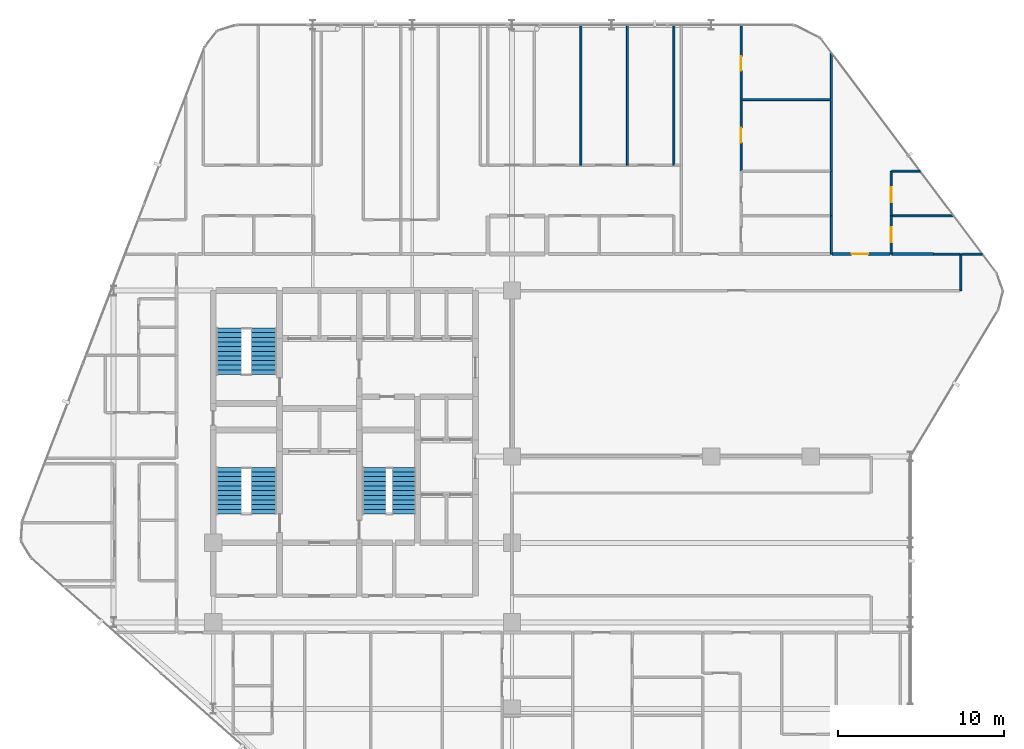
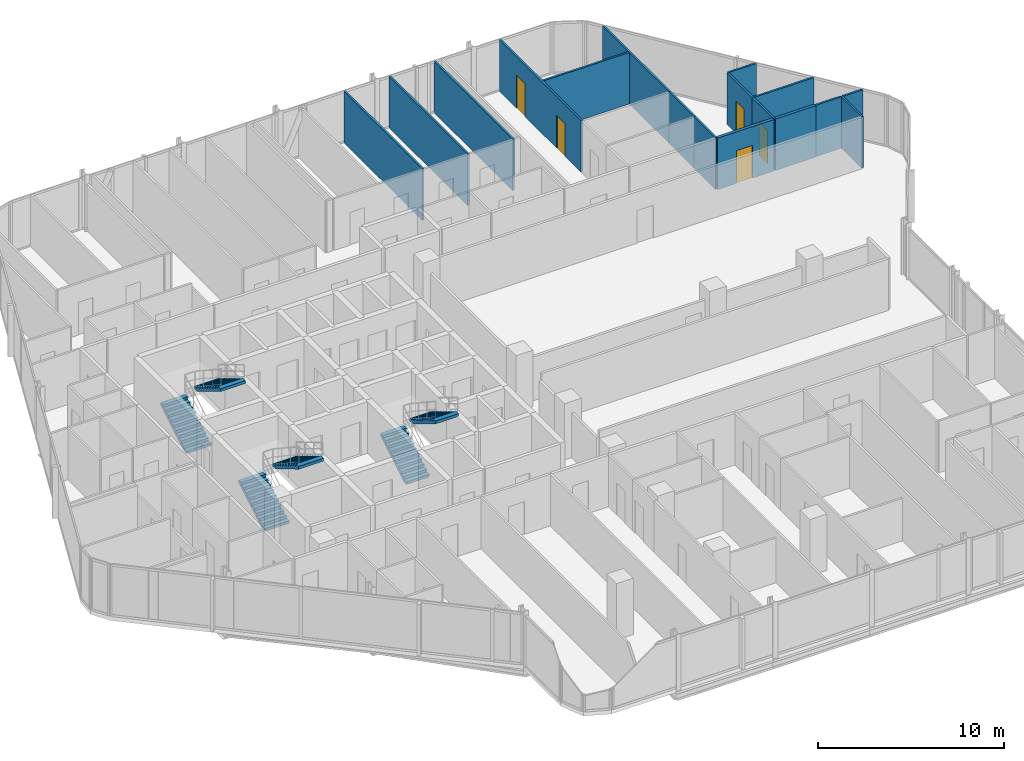
# One storey, part 29 of 30: 17 walls, 6 stair flights, 5 doors, 5 openings, 3 elements without a shape of their own.
"""IFC4 building model written with IfcOpenShell, lengths in metres."""

from ifc_helpers import new_model, si_unit, direction, frame, frame_2d, origin, place, context, subcontext, project, spatial, polyline, rectangle, outline, extrude, material, layer, layer_set, type_object, element, fill, aggregate, save


model = new_model("IFC4")

# Units and contexts
model_context = context("Model", 3, precision=1e-05, world=origin(), true_north=direction((0.0, 1.0)))
body_context = subcontext(model_context, "Body", "Model", "MODEL_VIEW")
ifc_project = project(units=[si_unit("LENGTHUNIT", "METRE"), si_unit("AREAUNIT", "SQUARE_METRE"), si_unit("VOLUMEUNIT", "CUBIC_METRE"), si_unit("PLANEANGLEUNIT", "RADIAN"), si_unit("MASSUNIT", "GRAM", prefix="KILO")], contexts=[model_context])

# Site, building, storey
site_placement = place(None, origin())
site = spatial("IfcSite", under=ifc_project, at=site_placement, CompositionType="ELEMENT")
building_placement = place(site_placement, origin())
building = spatial("IfcBuilding", under=site, at=building_placement, Name="Keshet Zoharim Tower", CompositionType="ELEMENT")
storey_placement = place(building_placement, frame((0.0, 0.0, 116.800048828125)))
storey = spatial("IfcBuildingStorey", under=building, at=storey_placement, Name="L28", CompositionType="ELEMENT", Elevation=116.800048828125)

# Wall, opening, door
ifc_material_1 = material(Name="Gypsum Plasterboard", Category="gypsum")
ifc_layer_1 = layer(ifc_material_1, 0.179931640625)
ifc_layer_set_1 = layer_set([ifc_layer_1], Name="Gypsum Plasterboard")
wall_type_1 = type_object("IfcWallType", Name="WL-CORR-180", PredefinedType="STANDARD", material=ifc_layer_set_1)
wall_1_placement = place(storey_placement, frame((52.27490234375, 40.10009765625, 0.0), z_axis=(0.0, 0.0, 1.0), x_axis=(1.0, 0.0, 0.0)))
wall_1 = element("IfcWall", 1, at=wall_1_placement, inside=storey, type_object=wall_type_1, Name="L28 Interior Wall 192", PredefinedType="STANDARD", context=body_context, shape_type="SweptSolid", body=[
    extrude(rectangle(XDim=3.510009765625, YDim=0.179931640625, at=frame_2d((1.7548828125, 0.0))), origin(), (0.0, 0.0, 1.0), 3.3798828125),
])
opening_1_placement = place(wall_1_placement, frame((1.18505859375, 0.0, 0.0)))
opening_1 = element("IfcOpeningElement", 2, at=opening_1_placement, cuts=wall_1, Name="Opening D-F310", PredefinedType="OPENING", context=body_context, shape_type="SweptSolid", body=[
    extrude(rectangle(XDim=1.0, YDim=2.14990234375, at=frame_2d((0.5, 1.074951171875))), frame((0.0, 0.10009765625, 0.0), z_axis=(0.0, -1.0, 0.0), x_axis=(1.0, 0.0, 0.0)), (0.0, 0.0, 1.0), 0.199951171875),
])
ifc_material_2 = material(Name="Hardwood Timber", Category="wood")
door_type_1 = type_object("IfcDoorType", Name="DR-FD30-100", OperationType="NOTDEFINED", PredefinedType="DOOR", material=ifc_material_2)
door_1_placement = place(opening_1_placement, origin())
door_1 = element("IfcDoor", 3, at=door_1_placement, inside=storey, type_object=door_type_1, Name="Apartment 2808 Entrance Door", OperationType="SINGLE_SWING_LEFT", OverallHeight=2.14990234375, OverallWidth=1.0, PredefinedType="DOOR", context=body_context, shape_type="SweptSolid", body=[
    extrude(rectangle(XDim=1.0, YDim=2.14990234375, at=frame_2d((0.5, 1.074951171875))), frame((0.0, 0.02490234375, 0.0), z_axis=(0.0, -1.0, 0.0), x_axis=(1.0, 0.0, 0.0)), (0.0, 0.0, 1.0), 0.050048828125),
])
fill(opening_1, door_1)

# Walls
wall_2_placement = place(storey_placement, frame((55.875, 40.10009765625, 0.0), z_axis=(0.0, 0.0, 1.0), x_axis=(1.0, 0.0, 0.0)))
element("IfcWall", 4, at=wall_2_placement, inside=storey, type_object=wall_type_1, Name="L28 Interior Wall 193", PredefinedType="STANDARD", context=body_context, shape_type="SweptSolid", body=[
    extrude(rectangle(XDim=2.52490234375, YDim=0.179931640625, at=frame_2d((1.262451171875, 0.0))), origin(), (0.0, 0.0, 1.0), 3.3798828125),
])
ifc_layer_2 = layer(ifc_material_1, 0.1201171875)
ifc_layer_set_2 = layer_set([ifc_layer_2], Name="Gypsum Plasterboard")
wall_type_2 = type_object("IfcWallType", Name="WL-PART-120", PredefinedType="PARTITIONING", material=ifc_layer_set_2)
for number, where, z_axis, x_axis, name in (
    (5, (37.14990234375, 45.449951171875, 0.0), (0.0, 0.0, 1.0), (0.0, 1.0, 0.0), "L28 Interior Wall 082"),
    (6, (39.949951171875, 45.449951171875, 0.0), (0.0, 0.0, 1.0), (0.0, 1.0, 0.0), "L28 Interior Wall 084"),
    (7, (42.75, 45.449951171875, 0.0), (0.0, 0.0, 1.0), (0.0, 1.0, 0.0), "L28 Interior Wall 089"),
):
    element("IfcWall", number, at=place(storey_placement, frame(where, z_axis=z_axis, x_axis=x_axis)), inside=storey, type_object=wall_type_2, Name=name, PredefinedType="PARTITIONING", context=body_context, shape_type="SweptSolid", body=[
        extrude(rectangle(XDim=8.43994140625, YDim=0.1201171875, at=frame_2d((4.219970703125, 0.0))), origin(), (0.0, 0.0, 1.0), 3.3798828125),
    ])

# Wall, openings, doors
wall_3_placement = place(storey_placement, frame((46.800048828125, 45.10009765625, 0.0), z_axis=(0.0, 0.0, 1.0), x_axis=(0.0, 1.0, 0.0)))
wall_3 = element("IfcWall", 8, at=wall_3_placement, inside=storey, type_object=wall_type_2, Name="L28 Interior Wall 097", PredefinedType="PARTITIONING", context=body_context, shape_type="SweptSolid", body=[
    extrude(rectangle(XDim=8.789794921875, YDim=0.1201171875, at=frame_2d((4.39501953125, 0.0))), origin(), (0.0, 0.0, 1.0), 3.3798828125),
])
opening_2_placement = place(wall_3_placement, frame((1.7119140625, 0.0, 0.0)))
opening_2 = element("IfcOpeningElement", 9, at=opening_2_placement, cuts=wall_3, Name="Opening D-IN90", PredefinedType="OPENING", context=body_context, shape_type="SweptSolid", body=[
    extrude(rectangle(XDim=0.89990234375, YDim=2.14990234375, at=frame_2d((0.449951171875, 1.074951171875))), frame((0.0, 0.070068359375, 0.0), z_axis=(0.0, -1.0, 0.0), x_axis=(1.0, 0.0, 0.0)), (0.0, 0.0, 1.0), 0.14013671875),
])
opening_3_placement = place(wall_3_placement, frame((6.030029296875, 0.0, 0.0)))
opening_3 = element("IfcOpeningElement", 10, at=opening_3_placement, cuts=wall_3, Name="Opening D-IN90", PredefinedType="OPENING", context=body_context, shape_type="SweptSolid", body=[
    extrude(rectangle(XDim=0.89990234375, YDim=2.14990234375, at=frame_2d((0.449951171875, 1.074951171875))), frame((0.0, 0.070068359375, 0.0), z_axis=(0.0, -1.0, 0.0), x_axis=(1.0, 0.0, 0.0)), (0.0, 0.0, 1.0), 0.14013671875),
])
door_type_2 = type_object("IfcDoorType", Name="DR-INT-090", OperationType="NOTDEFINED", PredefinedType="DOOR", material=ifc_material_2)
door_2_placement = place(opening_2_placement, origin())
door_2 = element("IfcDoor", 11, at=door_2_placement, inside=storey, type_object=door_type_2, Name="Apartment 2807 Bedroom 1 Door", OperationType="SINGLE_SWING_RIGHT", OverallHeight=2.14990234375, OverallWidth=0.89990234375, PredefinedType="DOOR", context=body_context, shape_type="SweptSolid", body=[
    extrude(rectangle(XDim=0.89990234375, YDim=2.14990234375, at=frame_2d((0.449951171875, 1.074951171875))), frame((0.0, 0.02490234375, 0.0), z_axis=(0.0, -1.0, 0.0), x_axis=(1.0, 0.0, 0.0)), (0.0, 0.0, 1.0), 0.050048828125),
])
fill(opening_2, door_2)
door_3_placement = place(opening_3_placement, origin())
door_3 = element("IfcDoor", 12, at=door_3_placement, inside=storey, type_object=door_type_2, Name="Apartment 2807 Bedroom 2 Door", OperationType="SINGLE_SWING_LEFT", OverallHeight=2.14990234375, OverallWidth=0.89990234375, PredefinedType="DOOR", context=body_context, shape_type="SweptSolid", body=[
    extrude(rectangle(XDim=0.89990234375, YDim=2.14990234375, at=frame_2d((0.449951171875, 1.074951171875))), frame((0.0, 0.02490234375, 0.0), z_axis=(0.0, -1.0, 0.0), x_axis=(1.0, 0.0, 0.0)), (0.0, 0.0, 1.0), 0.050048828125),
])
fill(opening_3, door_3)

# Walls
wall_4_placement = place(storey_placement, frame((52.25, 40.10009765625, 0.0), z_axis=(0.0, 0.0, 1.0), x_axis=(0.0, 1.0, 0.0)))
element("IfcWall", 13, at=wall_4_placement, inside=storey, type_object=wall_type_2, Name="L28 Interior Wall 102", PredefinedType="PARTITIONING", context=body_context, shape_type="SweptSolid", body=[
    extrude(rectangle(XDim=2.2998046875, YDim=0.1201171875, at=frame_2d((1.14990234375, 0.0))), origin(), (0.0, 0.0, 1.0), 3.3798828125),
])
wall_5_placement = place(storey_placement, frame((52.25, 45.10009765625, 0.0), z_axis=(0.0, 0.0, 1.0), x_axis=(0.0, 1.0, 0.0)))
element("IfcWall", 14, at=wall_5_placement, inside=storey, type_object=wall_type_2, Name="L28 Interior Wall 104", PredefinedType="PARTITIONING", context=body_context, shape_type="SweptSolid", body=[
    extrude(rectangle(XDim=7.122802734375, YDim=0.1201171875, at=frame_2d((3.5615234375, 0.0))), origin(), (0.0, 0.0, 1.0), 3.3798828125),
])

# Wall, opening, door
wall_6_placement = place(storey_placement, frame((55.85009765625, 40.10009765625, 0.0), z_axis=(0.0, 0.0, 1.0), x_axis=(0.0, 1.0, 0.0)))
wall_6 = element("IfcWall", 15, at=wall_6_placement, inside=storey, type_object=wall_type_2, Name="L28 Interior Wall 109", PredefinedType="PARTITIONING", context=body_context, shape_type="SweptSolid", body=[
    extrude(rectangle(XDim=2.2998046875, YDim=0.1201171875, at=frame_2d((1.14990234375, 0.0))), origin(), (0.0, 0.0, 1.0), 3.3798828125),
])
opening_4_placement = place(wall_6_placement, frame((0.699951171875, 0.0, 0.0)))
opening_4 = element("IfcOpeningElement", 16, at=opening_4_placement, cuts=wall_6, Name="Opening D-IN90", PredefinedType="OPENING", context=body_context, shape_type="SweptSolid", body=[
    extrude(rectangle(XDim=0.89990234375, YDim=2.14990234375, at=frame_2d((0.449951171875, 1.074951171875))), frame((0.0, 0.070068359375, 0.0), z_axis=(0.0, -1.0, 0.0), x_axis=(1.0, 0.0, 0.0)), (0.0, 0.0, 1.0), 0.14013671875),
])
door_4_placement = place(opening_4_placement, origin())
door_4 = element("IfcDoor", 17, at=door_4_placement, inside=storey, type_object=door_type_2, Name="Apartment 2808 Kitchen Door", OperationType="SINGLE_SWING_RIGHT", OverallHeight=2.14990234375, OverallWidth=0.89990234375, PredefinedType="DOOR", context=body_context, shape_type="SweptSolid", body=[
    extrude(rectangle(XDim=0.89990234375, YDim=2.14990234375, at=frame_2d((0.449951171875, 1.074951171875))), frame((0.0, 0.02490234375, 0.0), z_axis=(0.0, -1.0, 0.0), x_axis=(1.0, 0.0, 0.0)), (0.0, 0.0, 1.0), 0.050048828125),
])
fill(opening_4, door_4)

# Walls
wall_7_placement = place(storey_placement, frame((60.050048828125, 37.889892578125, 0.0), z_axis=(0.0, 0.0, 1.0), x_axis=(0.0, 1.0, 0.0)))
element("IfcWall", 18, at=wall_7_placement, inside=storey, type_object=wall_type_2, Name="L28 Interior Wall 112", PredefinedType="PARTITIONING", context=body_context, shape_type="SweptSolid", body=[
    extrude(rectangle(XDim=2.2001953125, YDim=0.1201171875, at=frame_2d((1.10009765625, 0.0))), origin(), (0.0, 0.0, 1.0), 3.3798828125),
])
wall_8_placement = place(storey_placement, frame((58.39990234375, 40.10009765625, 0.0), z_axis=(0.0, 0.0, 1.0), x_axis=(1.0, 0.0, 0.0)))
element("IfcWall", 19, at=wall_8_placement, inside=storey, type_object=wall_type_2, Name="L28 Interior Wall 194", PredefinedType="PARTITIONING", context=body_context, shape_type="SweptSolid", body=[
    extrude(rectangle(XDim=1.60498046875, YDim=0.1201171875, at=frame_2d((0.802490234375, 0.0))), origin(), (0.0, 0.0, 1.0), 3.3798828125),
])
wall_9_placement = place(storey_placement, frame((60.094970703125, 40.10009765625, 0.0), z_axis=(0.0, 0.0, 1.0), x_axis=(1.0, 0.0, 0.0)))
element("IfcWall", 20, at=wall_9_placement, inside=storey, type_object=wall_type_2, Name="L28 Interior Wall 195", PredefinedType="PARTITIONING", context=body_context, shape_type="SweptSolid", body=[
    extrude(rectangle(XDim=1.2451171875, YDim=0.1201171875, at=frame_2d((0.62255859375, 0.0))), origin(), (0.0, 0.0, 1.0), 3.3798828125),
])
wall_10_placement = place(storey_placement, frame((46.844970703125, 49.39990234375, 0.0), z_axis=(0.0, 0.0, 1.0), x_axis=(1.0, 0.0, 0.0)))
element("IfcWall", 21, at=wall_10_placement, inside=storey, type_object=wall_type_2, Name="L28 Interior Wall 212", PredefinedType="PARTITIONING", context=body_context, shape_type="SweptSolid", body=[
    extrude(rectangle(XDim=5.340087890625, YDim=0.1201171875, at=frame_2d((2.669921875, 0.0))), origin(), (0.0, 0.0, 1.0), 3.3798828125),
])
ifc_layer_3 = layer(ifc_material_1, 0.1201171875)
ifc_layer_set_3 = layer_set([ifc_layer_3], Name="Gypsum Plasterboard")
wall_type_3 = type_object("IfcWallType", Name="WL-WET-120", PredefinedType="PARTITIONING", material=ifc_layer_set_3)
wall_11_placement = place(storey_placement, frame((52.25, 42.39990234375, 0.0), z_axis=(0.0, 0.0, 1.0), x_axis=(0.0, 1.0, 0.0)))
element("IfcWall", 22, at=wall_11_placement, inside=storey, type_object=wall_type_3, Name="L28 Interior Wall 103", PredefinedType="PARTITIONING", context=body_context, shape_type="SweptSolid", body=[
    extrude(rectangle(XDim=2.7001953125, YDim=0.1201171875, at=frame_2d((1.35009765625, 0.0))), origin(), (0.0, 0.0, 1.0), 3.3798828125),
])

# Wall, opening, door
wall_12_placement = place(storey_placement, frame((55.85009765625, 42.39990234375, 0.0), z_axis=(0.0, 0.0, 1.0), x_axis=(0.0, 1.0, 0.0)))
wall_12 = element("IfcWall", 23, at=wall_12_placement, inside=storey, type_object=wall_type_3, Name="L28 Interior Wall 110", PredefinedType="PARTITIONING", context=body_context, shape_type="SweptSolid", body=[
    extrude(rectangle(XDim=2.7001953125, YDim=0.1201171875, at=frame_2d((1.35009765625, 0.0))), origin(), (0.0, 0.0, 1.0), 3.3798828125),
])
opening_5_placement = place(wall_12_placement, frame((0.827880859375, 0.0, 0.0)))
opening_5 = element("IfcOpeningElement", 24, at=opening_5_placement, cuts=wall_12, Name="Opening D-WT90", PredefinedType="OPENING", context=body_context, shape_type="SweptSolid", body=[
    extrude(rectangle(XDim=0.89990234375, YDim=2.10009765625, at=frame_2d((0.449951171875, 1.050048828125))), frame((0.0, 0.070068359375, 0.0), z_axis=(0.0, -1.0, 0.0), x_axis=(1.0, 0.0, 0.0)), (0.0, 0.0, 1.0), 0.14013671875),
])
door_type_3 = type_object("IfcDoorType", Name="DR-WET-090", OperationType="NOTDEFINED", PredefinedType="DOOR", material=ifc_material_2)
door_5_placement = place(opening_5_placement, origin())
door_5 = element("IfcDoor", 25, at=door_5_placement, inside=storey, type_object=door_type_3, Name="Apartment 2808 Bathroom Door", OperationType="SINGLE_SWING_LEFT", OverallHeight=2.10009765625, OverallWidth=0.89990234375, PredefinedType="DOOR", context=body_context, shape_type="SweptSolid", body=[
    extrude(rectangle(XDim=0.89990234375, YDim=2.10009765625, at=frame_2d((0.449951171875, 1.050048828125))), frame((0.0, 0.02490234375, 0.0), z_axis=(0.0, -1.0, 0.0), x_axis=(1.0, 0.0, 0.0)), (0.0, 0.0, 1.0), 0.050048828125),
])
fill(opening_5, door_5)

# Walls
wall_13_placement = place(storey_placement, frame((55.875, 42.39990234375, 0.0), z_axis=(0.0, 0.0, 1.0), x_axis=(1.0, 0.0, 0.0)))
element("IfcWall", 26, at=wall_13_placement, inside=storey, type_object=wall_type_3, Name="L28 Interior Wall 204", PredefinedType="PARTITIONING", context=body_context, shape_type="SweptSolid", body=[
    extrude(rectangle(XDim=3.739990234375, YDim=0.1201171875, at=frame_2d((1.8701171875, 0.0))), origin(), (0.0, 0.0, 1.0), 3.3798828125),
])
wall_14_placement = place(storey_placement, frame((55.875, 45.10009765625, 0.0), z_axis=(0.0, 0.0, 1.0), x_axis=(1.0, 0.0, 0.0)))
element("IfcWall", 27, at=wall_14_placement, inside=storey, type_object=wall_type_3, Name="L28 Interior Wall 206", PredefinedType="PARTITIONING", context=body_context, shape_type="SweptSolid", body=[
    extrude(rectangle(XDim=1.715087890625, YDim=0.1201171875, at=frame_2d((0.857421875, 0.0))), origin(), (0.0, 0.0, 1.0), 3.3798828125),
])

# Stair, stair flights
ifc_material_3 = material(Name="Concrete C50/60", Category="concrete")
stair_type = type_object("IfcStairType", Name="STR-EXIT-135", PredefinedType="HALF_TURN_STAIR", material=ifc_material_3)
stair_1_placement = place(storey_placement, origin())
stair_1 = element("IfcStair", 28, at=stair_1_placement, inside=storey, type_object=stair_type, Name="L28 Enclosed Exit Stair ST-01", PredefinedType="HALF_TURN_STAIR")
stair_flight_type_1 = type_object("IfcStairFlightType", Name="FLT-PRE-135", PredefinedType="STRAIGHT", material=ifc_material_3)
stair_flight_1_placement = place(storey_placement, frame((15.945068359375, 24.43994140625, 0.0), z_axis=(0.0, 0.0, 1.0), x_axis=(0.0, 1.0, 0.0)))
stair_flight_1 = element("IfcStairFlight", 29, at=stair_flight_1_placement, type_object=stair_flight_type_1, Name="ST-01 flight 1", NumberOfRisers=11, NumberOfTreads=10, PredefinedType="STRAIGHT", RiserHeight=0.168182, TreadLength=0.28, context=body_context, shape_type="SweptSolid", body=[
    extrude(outline(polyline([(0.0, 0.0), (0.0, 0.168212890625), (0.280029296875, 0.168212890625), (0.280029296875, 0.33642578125), (0.56005859375, 0.33642578125), (0.56005859375, 0.504638671875), (0.840087890625, 0.504638671875), (0.840087890625, 0.672607421875), (1.1201171875, 0.672607421875), (1.1201171875, 0.8408203125), (1.39990234375, 0.8408203125), (1.39990234375, 1.009033203125), (1.679931640625, 1.009033203125), (1.679931640625, 1.17724609375), (1.9599609375, 1.17724609375), (1.9599609375, 1.345458984375), (2.239990234375, 1.345458984375), (2.239990234375, 1.513671875), (2.52001953125, 1.513671875), (2.52001953125, 1.681884765625), (2.800048828125, 1.681884765625), (2.800048828125, 1.85009765625), (2.800048828125, 1.495361328125), (0.310546875, 0.0), (0.0, 0.0)])), frame((0.0, 0.76513671875, 0.0), z_axis=(0.0, -1.0, 0.0), x_axis=(1.0, 0.0, 0.0)), (0.0, 0.0, 1.0), 1.530029296875),
])
stair_flight_2_placement = place(storey_placement, frame((18.054931640625, 27.239990234375, 1.849853515625), z_axis=(0.0, 0.0, 1.0), x_axis=(0.0, -1.0, 0.0)))
stair_flight_2 = element("IfcStairFlight", 30, at=stair_flight_2_placement, type_object=stair_flight_type_1, Name="ST-01 flight 2", NumberOfRisers=11, NumberOfTreads=10, PredefinedType="STRAIGHT", RiserHeight=0.168182, TreadLength=0.28, context=body_context, shape_type="SweptSolid", body=[
    extrude(outline(polyline([(0.0, 0.0), (0.0, 0.168212890625), (0.280029296875, 0.168212890625), (0.280029296875, 0.33642578125), (0.56005859375, 0.33642578125), (0.56005859375, 0.504638671875), (0.840087890625, 0.504638671875), (0.840087890625, 0.672607421875), (1.1201171875, 0.672607421875), (1.1201171875, 0.8408203125), (1.39990234375, 0.8408203125), (1.39990234375, 1.009033203125), (1.679931640625, 1.009033203125), (1.679931640625, 1.17724609375), (1.9599609375, 1.17724609375), (1.9599609375, 1.345458984375), (2.239990234375, 1.345458984375), (2.239990234375, 1.513671875), (2.52001953125, 1.513671875), (2.52001953125, 1.681884765625), (2.800048828125, 1.681884765625), (2.800048828125, 1.85009765625), (2.800048828125, 1.495361328125), (0.310546875, 0.0), (0.0, 0.0)])), frame((0.0, 0.76513671875, 0.0), z_axis=(0.0, -1.0, 0.0), x_axis=(1.0, 0.0, 0.0)), (0.0, 0.0, 1.0), 1.530029296875),
])
aggregate(stair_1, [stair_flight_1, stair_flight_2])

stair_2_placement = place(storey_placement, origin())
stair_2 = element("IfcStair", 31, at=stair_2_placement, inside=storey, type_object=stair_type, Name="L28 Enclosed Exit Stair ST-02", PredefinedType="HALF_TURN_STAIR")
stair_flight_3_placement = place(storey_placement, frame((15.945068359375, 32.840087890625, 0.0), z_axis=(0.0, 0.0, 1.0), x_axis=(0.0, 1.0, 0.0)))
stair_flight_3 = element("IfcStairFlight", 32, at=stair_flight_3_placement, type_object=stair_flight_type_1, Name="ST-02 flight 1", NumberOfRisers=11, NumberOfTreads=10, PredefinedType="STRAIGHT", RiserHeight=0.168182, TreadLength=0.28, context=body_context, shape_type="SweptSolid", body=[
    extrude(outline(polyline([(0.0, 0.0), (0.0, 0.168212890625), (0.280029296875, 0.168212890625), (0.280029296875, 0.33642578125), (0.56005859375, 0.33642578125), (0.56005859375, 0.504638671875), (0.840087890625, 0.504638671875), (0.840087890625, 0.672607421875), (1.1201171875, 0.672607421875), (1.1201171875, 0.8408203125), (1.39990234375, 0.8408203125), (1.39990234375, 1.009033203125), (1.679931640625, 1.009033203125), (1.679931640625, 1.17724609375), (1.9599609375, 1.17724609375), (1.9599609375, 1.345458984375), (2.239990234375, 1.345458984375), (2.239990234375, 1.513671875), (2.52001953125, 1.513671875), (2.52001953125, 1.681884765625), (2.800048828125, 1.681884765625), (2.800048828125, 1.85009765625), (2.800048828125, 1.495361328125), (0.310546875, 0.0), (0.0, 0.0)])), frame((0.0, 0.76513671875, 0.0), z_axis=(0.0, -1.0, 0.0), x_axis=(1.0, 0.0, 0.0)), (0.0, 0.0, 1.0), 1.530029296875),
])
stair_flight_4_placement = place(storey_placement, frame((18.054931640625, 35.639892578125, 1.849853515625), z_axis=(0.0, 0.0, 1.0), x_axis=(0.0, -1.0, 0.0)))
stair_flight_4 = element("IfcStairFlight", 33, at=stair_flight_4_placement, type_object=stair_flight_type_1, Name="ST-02 flight 2", NumberOfRisers=11, NumberOfTreads=10, PredefinedType="STRAIGHT", RiserHeight=0.168182, TreadLength=0.28, context=body_context, shape_type="SweptSolid", body=[
    extrude(outline(polyline([(0.0, 0.0), (0.0, 0.168212890625), (0.280029296875, 0.168212890625), (0.280029296875, 0.33642578125), (0.56005859375, 0.33642578125), (0.56005859375, 0.504638671875), (0.840087890625, 0.504638671875), (0.840087890625, 0.672607421875), (1.1201171875, 0.672607421875), (1.1201171875, 0.8408203125), (1.39990234375, 0.8408203125), (1.39990234375, 1.009033203125), (1.679931640625, 1.009033203125), (1.679931640625, 1.17724609375), (1.9599609375, 1.17724609375), (1.9599609375, 1.345458984375), (2.239990234375, 1.345458984375), (2.239990234375, 1.513671875), (2.52001953125, 1.513671875), (2.52001953125, 1.681884765625), (2.800048828125, 1.681884765625), (2.800048828125, 1.85009765625), (2.800048828125, 1.495361328125), (0.310546875, 0.0), (0.0, 0.0)])), frame((0.0, 0.76513671875, 0.0), z_axis=(0.0, -1.0, 0.0), x_axis=(1.0, 0.0, 0.0)), (0.0, 0.0, 1.0), 1.530029296875),
])
aggregate(stair_2, [stair_flight_3, stair_flight_4])

stair_3_placement = place(storey_placement, origin())
stair_3 = element("IfcStair", 34, at=stair_3_placement, inside=storey, type_object=stair_type, Name="L28 Enclosed Exit Stair ST-03", PredefinedType="HALF_TURN_STAIR")
stair_flight_type_2 = type_object("IfcStairFlightType", Name="FLT-PRE-144", PredefinedType="STRAIGHT", material=ifc_material_3)
stair_flight_5_placement = place(storey_placement, frame((24.699951171875, 24.43994140625, 0.0), z_axis=(0.0, 0.0, 1.0), x_axis=(0.0, 1.0, 0.0)))
stair_flight_5 = element("IfcStairFlight", 35, at=stair_flight_5_placement, type_object=stair_flight_type_2, Name="ST-03 flight 1", NumberOfRisers=11, NumberOfTreads=10, PredefinedType="STRAIGHT", RiserHeight=0.168182, TreadLength=0.28, context=body_context, shape_type="SweptSolid", body=[
    extrude(outline(polyline([(0.0, 0.0), (0.0, 0.168212890625), (0.280029296875, 0.168212890625), (0.280029296875, 0.33642578125), (0.56005859375, 0.33642578125), (0.56005859375, 0.504638671875), (0.840087890625, 0.504638671875), (0.840087890625, 0.672607421875), (1.1201171875, 0.672607421875), (1.1201171875, 0.8408203125), (1.39990234375, 0.8408203125), (1.39990234375, 1.009033203125), (1.679931640625, 1.009033203125), (1.679931640625, 1.17724609375), (1.9599609375, 1.17724609375), (1.9599609375, 1.345458984375), (2.239990234375, 1.345458984375), (2.239990234375, 1.513671875), (2.52001953125, 1.513671875), (2.52001953125, 1.681884765625), (2.800048828125, 1.681884765625), (2.800048828125, 1.85009765625), (2.800048828125, 1.495361328125), (0.310546875, 0.0), (0.0, 0.0)])), frame((0.0, 0.719970703125, 0.0), z_axis=(0.0, -1.0, 0.0), x_axis=(1.0, 0.0, 0.0)), (0.0, 0.0, 1.0), 1.43994140625),
])
stair_flight_6_placement = place(storey_placement, frame((26.5, 27.239990234375, 1.849853515625), z_axis=(0.0, 0.0, 1.0), x_axis=(0.0, -1.0, 0.0)))
stair_flight_6 = element("IfcStairFlight", 36, at=stair_flight_6_placement, type_object=stair_flight_type_2, Name="ST-03 flight 2", NumberOfRisers=11, NumberOfTreads=10, PredefinedType="STRAIGHT", RiserHeight=0.168182, TreadLength=0.28, context=body_context, shape_type="SweptSolid", body=[
    extrude(outline(polyline([(0.0, 0.0), (0.0, 0.168212890625), (0.280029296875, 0.168212890625), (0.280029296875, 0.33642578125), (0.56005859375, 0.33642578125), (0.56005859375, 0.504638671875), (0.840087890625, 0.504638671875), (0.840087890625, 0.672607421875), (1.1201171875, 0.672607421875), (1.1201171875, 0.8408203125), (1.39990234375, 0.8408203125), (1.39990234375, 1.009033203125), (1.679931640625, 1.009033203125), (1.679931640625, 1.17724609375), (1.9599609375, 1.17724609375), (1.9599609375, 1.345458984375), (2.239990234375, 1.345458984375), (2.239990234375, 1.513671875), (2.52001953125, 1.513671875), (2.52001953125, 1.681884765625), (2.800048828125, 1.681884765625), (2.800048828125, 1.85009765625), (2.800048828125, 1.495361328125), (0.310546875, 0.0), (0.0, 0.0)])), frame((0.0, 0.719970703125, 0.0), z_axis=(0.0, -1.0, 0.0), x_axis=(1.0, 0.0, 0.0)), (0.0, 0.0, 1.0), 1.43994140625),
])
aggregate(stair_3, [stair_flight_5, stair_flight_6])

save(model, "model.ifc")
